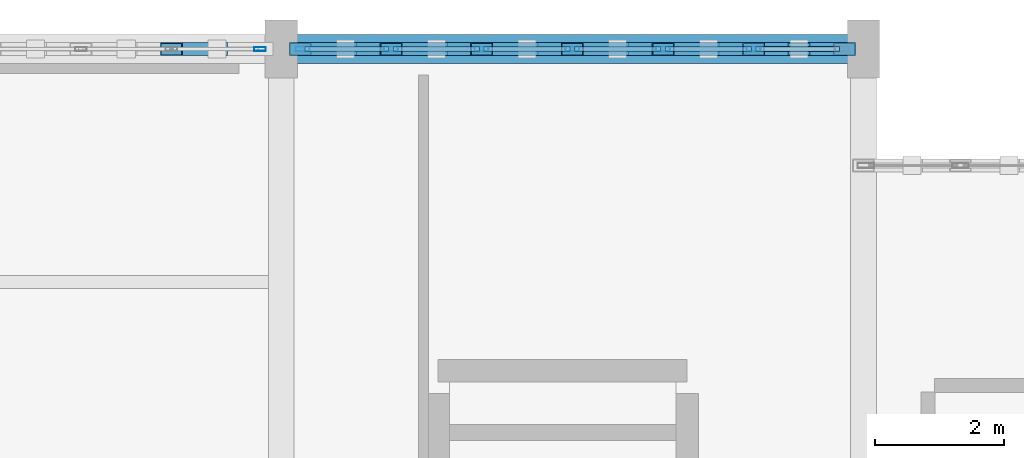
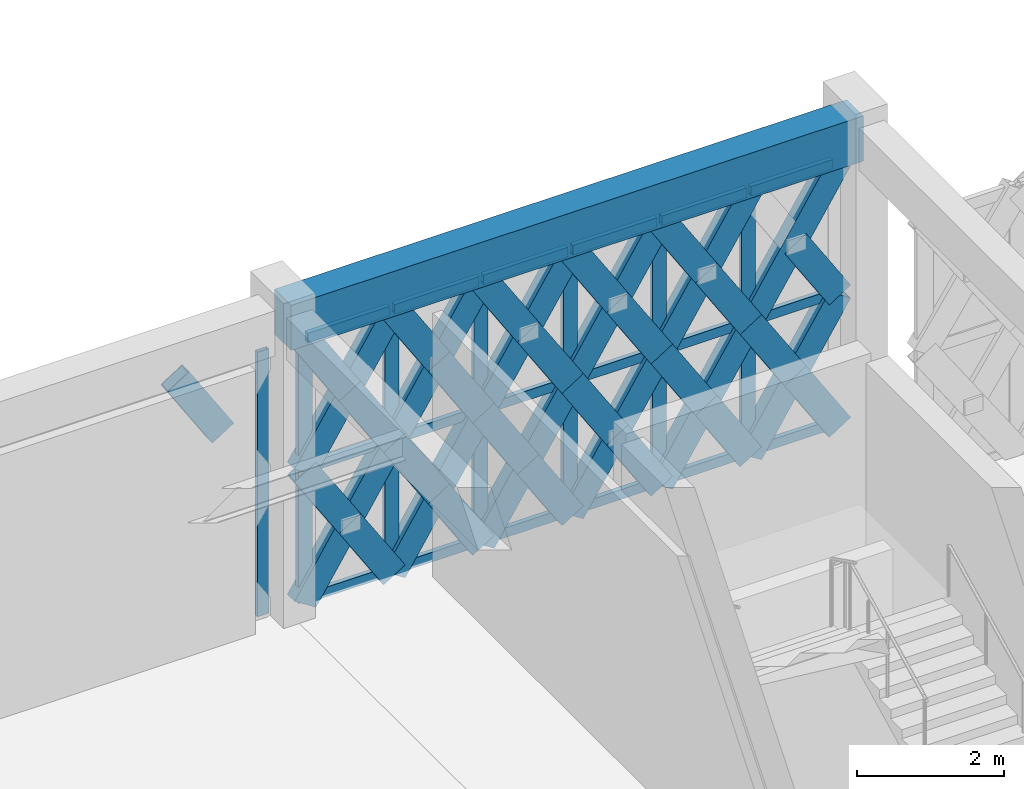
# One storey, part 46 of 86: 61 members, 1 beam, 2 elements without a shape of their own.
"""IFC4 building model written with IfcOpenShell, lengths in metres."""

from ifc_helpers import new_model, si_unit, direction, frame, origin, origin_2d, place, context, subcontext, project, spatial, rectangle, hollow_rectangle, extrude, material, material_profile, profile_set, type_object, element, aggregate, save


model = new_model("IFC4")

# Units and contexts
model_context = context("Model", 3, precision=1e-05, world=origin(), true_north=direction((0.0, 1.0)))
body_context = subcontext(model_context, "Body", "Model", "MODEL_VIEW")
ifc_project = project(units=[si_unit("LENGTHUNIT", "METRE"), si_unit("AREAUNIT", "SQUARE_METRE"), si_unit("VOLUMEUNIT", "CUBIC_METRE"), si_unit("PLANEANGLEUNIT", "RADIAN"), si_unit("MASSUNIT", "GRAM", prefix="KILO")], contexts=[model_context])

# Site, building, storey
site_placement = place(None, origin())
site = spatial("IfcSite", under=ifc_project, at=site_placement, CompositionType="ELEMENT")
building_placement = place(site_placement, origin())
building = spatial("IfcBuilding", under=site, at=building_placement, Name="Haizhuo Lancet Aquarium", CompositionType="ELEMENT")
storey_placement = place(building_placement, frame((0.0, 0.0, 16.199951171875)))
storey = spatial("IfcBuildingStorey", under=building, at=storey_placement, Name="L03", CompositionType="ELEMENT", Elevation=16.199951171875)

# Beam
ifc_material_1 = material(Name="Concrete C40/50", Category="concrete")
ifc_material_profile_1 = material_profile(ifc_material_1, rectangle(XDim=0.449951171875, YDim=0.75, at=origin_2d()), Name="RC-BM 450x750")
ifc_profile_set_1 = profile_set([ifc_material_profile_1], Name="Concrete C40/50")
beam_type = type_object("IfcBeamType", Name="BM-RC-450x750", PredefinedType="BEAM", material=ifc_profile_set_1)
beam_placement = place(storey_placement, frame((9.0, 55.800048828125, 4.775146484375), z_axis=(1.0, 0.0, 0.0), x_axis=(0.0, 1.0, 0.0)))
element("IfcBeam", 1, at=beam_placement, inside=storey, type_object=beam_type, Name="L03 V5 primary girder BM-L03-V5-020", PredefinedType="BEAM", context=body_context, shape_type="SweptSolid", body=[
    extrude(rectangle(XDim=0.449951171875, YDim=0.75, at=origin_2d()), origin(), (0.0, 0.0, 1.0), 9.0),
])

# Curtain wall, member
ifc_material_2 = material(Name="Aluminium 6063-T6", Category="aluminium")
curtain_wall_type = type_object("IfcCurtainWallType", Name="CWD-8410x4400", PredefinedType="NOTDEFINED", material=ifc_material_2)
curtain_wall_1_placement = place(storey_placement, origin())
curtain_wall_1 = element("IfcCurtainWall", 2, at=curtain_wall_1_placement, inside=storey, type_object=curtain_wall_type, Name="L03 curtain wall CW-V5-L03-163", PredefinedType="NOTDEFINED")
ifc_material_profile_2 = material_profile(ifc_material_2, hollow_rectangle(XDim=0.06494140625, YDim=0.179931640625, WallThickness=0.00390625, at=origin_2d()), Name="ALU-M 65x180x4")
ifc_profile_set_2 = profile_set([ifc_material_profile_2], Name="Aluminium 6063-T6")
member_type_1 = type_object("IfcMemberType", Name="CW-MUL-1", PredefinedType="MULLION", material=ifc_profile_set_2)
member_1_placement = place(storey_placement, frame((8.672119140625, 55.800048828125, 0.0), z_axis=(0.0, 0.0, 1.0), x_axis=(0.0, 1.0, 0.0)))
member_1 = element("IfcMember", 3, at=member_1_placement, type_object=member_type_1, Name="CWD-84x44 mullion 7", PredefinedType="MULLION", context=body_context, shape_type="SweptSolid", body=[
    extrude(hollow_rectangle(XDim=0.06494140625, YDim=0.179931640625, WallThickness=0.00390625, at=origin_2d()), origin(), (0.0, 0.0, 1.0), 4.400146484375),
])
aggregate(curtain_wall_1, [member_1])

# Curtain wall, members
curtain_wall_2_placement = place(storey_placement, origin())
curtain_wall_2 = element("IfcCurtainWall", 4, at=curtain_wall_2_placement, inside=storey, type_object=curtain_wall_type, Name="L03 curtain wall CW-V5-L03-164", PredefinedType="NOTDEFINED")
ifc_material_profile_3 = material_profile(ifc_material_2, hollow_rectangle(XDim=0.074951171875, YDim=0.219970703125, WallThickness=0.0048828125, at=origin_2d()), Name="ALU-M 75x220x5")
ifc_profile_set_3 = profile_set([ifc_material_profile_3], Name="Aluminium 6063-T6")
member_type_2 = type_object("IfcMemberType", Name="CW-MUL-2", PredefinedType="MULLION", material=ifc_profile_set_3)
member_2_placement = place(storey_placement, frame((9.33203125, 55.800048828125, 0.0), z_axis=(0.0, 0.0, 1.0), x_axis=(0.0, 1.0, 0.0)))
member_2 = element("IfcMember", 5, at=member_2_placement, type_object=member_type_2, Name="CWD-84x44 mullion 1", PredefinedType="MULLION", context=body_context, shape_type="SweptSolid", body=[
    extrude(hollow_rectangle(XDim=0.074951171875, YDim=0.219970703125, WallThickness=0.0048828125, at=origin_2d()), origin(), (0.0, 0.0, 1.0), 4.400146484375),
])
member_3_placement = place(storey_placement, frame((10.697021484375, 55.800048828125, 0.0), z_axis=(0.0, 0.0, 1.0), x_axis=(0.0, 1.0, 0.0)))
member_3 = element("IfcMember", 6, at=member_3_placement, type_object=member_type_2, Name="CWD-84x44 mullion 2", PredefinedType="MULLION", context=body_context, shape_type="SweptSolid", body=[
    extrude(hollow_rectangle(XDim=0.074951171875, YDim=0.219970703125, WallThickness=0.0048828125, at=origin_2d()), origin(), (0.0, 0.0, 1.0), 4.400146484375),
])
member_4_placement = place(storey_placement, frame((12.097900390625, 55.800048828125, 0.0), z_axis=(0.0, 0.0, 1.0), x_axis=(0.0, 1.0, 0.0)))
member_4 = element("IfcMember", 7, at=member_4_placement, type_object=member_type_2, Name="CWD-84x44 mullion 3", PredefinedType="MULLION", context=body_context, shape_type="SweptSolid", body=[
    extrude(hollow_rectangle(XDim=0.074951171875, YDim=0.219970703125, WallThickness=0.0048828125, at=origin_2d()), origin(), (0.0, 0.0, 1.0), 4.400146484375),
])
member_5_placement = place(storey_placement, frame((13.5, 55.800048828125, 0.0), z_axis=(0.0, 0.0, 1.0), x_axis=(0.0, 1.0, 0.0)))
member_5 = element("IfcMember", 8, at=member_5_placement, type_object=member_type_2, Name="CWD-84x44 mullion 4", PredefinedType="MULLION", context=body_context, shape_type="SweptSolid", body=[
    extrude(hollow_rectangle(XDim=0.074951171875, YDim=0.219970703125, WallThickness=0.0048828125, at=origin_2d()), origin(), (0.0, 0.0, 1.0), 4.400146484375),
])
member_6_placement = place(storey_placement, frame((14.902099609375, 55.800048828125, 0.0), z_axis=(0.0, 0.0, 1.0), x_axis=(0.0, 1.0, 0.0)))
member_6 = element("IfcMember", 9, at=member_6_placement, type_object=member_type_2, Name="CWD-84x44 mullion 5", PredefinedType="MULLION", context=body_context, shape_type="SweptSolid", body=[
    extrude(hollow_rectangle(XDim=0.074951171875, YDim=0.219970703125, WallThickness=0.0048828125, at=origin_2d()), origin(), (0.0, 0.0, 1.0), 4.400146484375),
])
member_7_placement = place(storey_placement, frame((16.302978515625, 55.800048828125, 0.0), z_axis=(0.0, 0.0, 1.0), x_axis=(0.0, 1.0, 0.0)))
member_7 = element("IfcMember", 10, at=member_7_placement, type_object=member_type_2, Name="CWD-84x44 mullion 6", PredefinedType="MULLION", context=body_context, shape_type="SweptSolid", body=[
    extrude(hollow_rectangle(XDim=0.074951171875, YDim=0.219970703125, WallThickness=0.0048828125, at=origin_2d()), origin(), (0.0, 0.0, 1.0), 4.400146484375),
])
ifc_material_profile_4 = material_profile(ifc_material_2, hollow_rectangle(XDim=0.074951171875, YDim=0.159912109375, WallThickness=0.00390625, at=origin_2d()), Name="ALU-T 75x160x4")
ifc_profile_set_4 = profile_set([ifc_material_profile_4], Name="Aluminium 6063-T6")
member_type_3 = type_object("IfcMemberType", Name="CW-TRN-2", PredefinedType="NOTDEFINED", material=ifc_profile_set_4)
member_8_placement = place(storey_placement, frame((9.3701171875, 55.800048828125, 0.0380859375), z_axis=(1.0, 0.0, 0.0), x_axis=(0.0, 1.0, 0.0)))
member_8 = element("IfcMember", 11, at=member_8_placement, type_object=member_type_3, Name="CWD-84x44 transom 1.1", ObjectType="TRANSOM", PredefinedType="USERDEFINED", context=body_context, shape_type="SweptSolid", body=[
    extrude(hollow_rectangle(XDim=0.074951171875, YDim=0.159912109375, WallThickness=0.00390625, at=origin_2d()), origin(), (0.0, 0.0, 1.0), 1.288818359375),
])
member_9_placement = place(storey_placement, frame((9.3701171875, 55.800048828125, 2.199951171875), z_axis=(1.0, 0.0, 0.0), x_axis=(0.0, 1.0, 0.0)))
member_9 = element("IfcMember", 12, at=member_9_placement, type_object=member_type_3, Name="CWD-84x44 transom 1.2", ObjectType="TRANSOM", PredefinedType="USERDEFINED", context=body_context, shape_type="SweptSolid", body=[
    extrude(hollow_rectangle(XDim=0.074951171875, YDim=0.159912109375, WallThickness=0.00390625, at=origin_2d()), origin(), (0.0, 0.0, 1.0), 1.288818359375),
])
member_10_placement = place(storey_placement, frame((9.3701171875, 55.800048828125, 4.362060546875), z_axis=(1.0, 0.0, 0.0), x_axis=(0.0, 1.0, 0.0)))
member_10 = element("IfcMember", 13, at=member_10_placement, type_object=member_type_3, Name="CWD-84x44 transom 1.3", ObjectType="TRANSOM", PredefinedType="USERDEFINED", context=body_context, shape_type="SweptSolid", body=[
    extrude(hollow_rectangle(XDim=0.074951171875, YDim=0.159912109375, WallThickness=0.00390625, at=origin_2d()), origin(), (0.0, 0.0, 1.0), 1.288818359375),
])
member_11_placement = place(storey_placement, frame((10.73388671875, 55.800048828125, 0.0380859375), z_axis=(1.0, 0.0, 0.0), x_axis=(0.0, 1.0, 0.0)))
member_11 = element("IfcMember", 14, at=member_11_placement, type_object=member_type_3, Name="CWD-84x44 transom 2.1", ObjectType="TRANSOM", PredefinedType="USERDEFINED", context=body_context, shape_type="SweptSolid", body=[
    extrude(hollow_rectangle(XDim=0.074951171875, YDim=0.159912109375, WallThickness=0.00390625, at=origin_2d()), origin(), (0.0, 0.0, 1.0), 1.3271484375),
])
member_12_placement = place(storey_placement, frame((10.73388671875, 55.800048828125, 2.199951171875), z_axis=(1.0, 0.0, 0.0), x_axis=(0.0, 1.0, 0.0)))
member_12 = element("IfcMember", 15, at=member_12_placement, type_object=member_type_3, Name="CWD-84x44 transom 2.2", ObjectType="TRANSOM", PredefinedType="USERDEFINED", context=body_context, shape_type="SweptSolid", body=[
    extrude(hollow_rectangle(XDim=0.074951171875, YDim=0.159912109375, WallThickness=0.00390625, at=origin_2d()), origin(), (0.0, 0.0, 1.0), 1.3271484375),
])
member_13_placement = place(storey_placement, frame((10.73388671875, 55.800048828125, 4.362060546875), z_axis=(1.0, 0.0, 0.0), x_axis=(0.0, 1.0, 0.0)))
member_13 = element("IfcMember", 16, at=member_13_placement, type_object=member_type_3, Name="CWD-84x44 transom 2.3", ObjectType="TRANSOM", PredefinedType="USERDEFINED", context=body_context, shape_type="SweptSolid", body=[
    extrude(hollow_rectangle(XDim=0.074951171875, YDim=0.159912109375, WallThickness=0.00390625, at=origin_2d()), origin(), (0.0, 0.0, 1.0), 1.3271484375),
])
member_14_placement = place(storey_placement, frame((12.135986328125, 55.800048828125, 0.0380859375), z_axis=(1.0, 0.0, 0.0), x_axis=(0.0, 1.0, 0.0)))
member_14 = element("IfcMember", 17, at=member_14_placement, type_object=member_type_3, Name="CWD-84x44 transom 3.1", ObjectType="TRANSOM", PredefinedType="USERDEFINED", context=body_context, shape_type="SweptSolid", body=[
    extrude(hollow_rectangle(XDim=0.074951171875, YDim=0.159912109375, WallThickness=0.00390625, at=origin_2d()), origin(), (0.0, 0.0, 1.0), 1.325927734375),
])
member_15_placement = place(storey_placement, frame((12.135986328125, 55.800048828125, 2.199951171875), z_axis=(1.0, 0.0, 0.0), x_axis=(0.0, 1.0, 0.0)))
member_15 = element("IfcMember", 18, at=member_15_placement, type_object=member_type_3, Name="CWD-84x44 transom 3.2", ObjectType="TRANSOM", PredefinedType="USERDEFINED", context=body_context, shape_type="SweptSolid", body=[
    extrude(hollow_rectangle(XDim=0.074951171875, YDim=0.159912109375, WallThickness=0.00390625, at=origin_2d()), origin(), (0.0, 0.0, 1.0), 1.325927734375),
])
member_16_placement = place(storey_placement, frame((12.135986328125, 55.800048828125, 4.362060546875), z_axis=(1.0, 0.0, 0.0), x_axis=(0.0, 1.0, 0.0)))
member_16 = element("IfcMember", 19, at=member_16_placement, type_object=member_type_3, Name="CWD-84x44 transom 3.3", ObjectType="TRANSOM", PredefinedType="USERDEFINED", context=body_context, shape_type="SweptSolid", body=[
    extrude(hollow_rectangle(XDim=0.074951171875, YDim=0.159912109375, WallThickness=0.00390625, at=origin_2d()), origin(), (0.0, 0.0, 1.0), 1.325927734375),
])
member_17_placement = place(storey_placement, frame((13.537109375, 55.800048828125, 0.0380859375), z_axis=(1.0, 0.0, 0.0), x_axis=(0.0, 1.0, 0.0)))
member_17 = element("IfcMember", 20, at=member_17_placement, type_object=member_type_3, Name="CWD-84x44 transom 4.1", ObjectType="TRANSOM", PredefinedType="USERDEFINED", context=body_context, shape_type="SweptSolid", body=[
    extrude(hollow_rectangle(XDim=0.074951171875, YDim=0.159912109375, WallThickness=0.00390625, at=origin_2d()), origin(), (0.0, 0.0, 1.0), 1.326904296875),
])
member_18_placement = place(storey_placement, frame((13.537109375, 55.800048828125, 2.199951171875), z_axis=(1.0, 0.0, 0.0), x_axis=(0.0, 1.0, 0.0)))
member_18 = element("IfcMember", 21, at=member_18_placement, type_object=member_type_3, Name="CWD-84x44 transom 4.2", ObjectType="TRANSOM", PredefinedType="USERDEFINED", context=body_context, shape_type="SweptSolid", body=[
    extrude(hollow_rectangle(XDim=0.074951171875, YDim=0.159912109375, WallThickness=0.00390625, at=origin_2d()), origin(), (0.0, 0.0, 1.0), 1.326904296875),
])
member_19_placement = place(storey_placement, frame((13.537109375, 55.800048828125, 4.362060546875), z_axis=(1.0, 0.0, 0.0), x_axis=(0.0, 1.0, 0.0)))
member_19 = element("IfcMember", 22, at=member_19_placement, type_object=member_type_3, Name="CWD-84x44 transom 4.3", ObjectType="TRANSOM", PredefinedType="USERDEFINED", context=body_context, shape_type="SweptSolid", body=[
    extrude(hollow_rectangle(XDim=0.074951171875, YDim=0.159912109375, WallThickness=0.00390625, at=origin_2d()), origin(), (0.0, 0.0, 1.0), 1.326904296875),
])
member_20_placement = place(storey_placement, frame((14.93896484375, 55.800048828125, 0.0380859375), z_axis=(1.0, 0.0, 0.0), x_axis=(0.0, 1.0, 0.0)))
member_20 = element("IfcMember", 23, at=member_20_placement, type_object=member_type_3, Name="CWD-84x44 transom 5.1", ObjectType="TRANSOM", PredefinedType="USERDEFINED", context=body_context, shape_type="SweptSolid", body=[
    extrude(hollow_rectangle(XDim=0.074951171875, YDim=0.159912109375, WallThickness=0.00390625, at=origin_2d()), origin(), (0.0, 0.0, 1.0), 1.3271484375),
])
member_21_placement = place(storey_placement, frame((14.93896484375, 55.800048828125, 2.199951171875), z_axis=(1.0, 0.0, 0.0), x_axis=(0.0, 1.0, 0.0)))
member_21 = element("IfcMember", 24, at=member_21_placement, type_object=member_type_3, Name="CWD-84x44 transom 5.2", ObjectType="TRANSOM", PredefinedType="USERDEFINED", context=body_context, shape_type="SweptSolid", body=[
    extrude(hollow_rectangle(XDim=0.074951171875, YDim=0.159912109375, WallThickness=0.00390625, at=origin_2d()), origin(), (0.0, 0.0, 1.0), 1.3271484375),
])
member_22_placement = place(storey_placement, frame((14.93896484375, 55.800048828125, 4.362060546875), z_axis=(1.0, 0.0, 0.0), x_axis=(0.0, 1.0, 0.0)))
member_22 = element("IfcMember", 25, at=member_22_placement, type_object=member_type_3, Name="CWD-84x44 transom 5.3", ObjectType="TRANSOM", PredefinedType="USERDEFINED", context=body_context, shape_type="SweptSolid", body=[
    extrude(hollow_rectangle(XDim=0.074951171875, YDim=0.159912109375, WallThickness=0.00390625, at=origin_2d()), origin(), (0.0, 0.0, 1.0), 1.3271484375),
])
member_23_placement = place(storey_placement, frame((16.341064453125, 55.800048828125, 0.0380859375), z_axis=(1.0, 0.0, 0.0), x_axis=(0.0, 1.0, 0.0)))
member_23 = element("IfcMember", 26, at=member_23_placement, type_object=member_type_3, Name="CWD-84x44 transom 6.1", ObjectType="TRANSOM", PredefinedType="USERDEFINED", context=body_context, shape_type="SweptSolid", body=[
    extrude(hollow_rectangle(XDim=0.074951171875, YDim=0.159912109375, WallThickness=0.00390625, at=origin_2d()), origin(), (0.0, 0.0, 1.0), 1.288818359375),
])
member_24_placement = place(storey_placement, frame((16.341064453125, 55.800048828125, 2.199951171875), z_axis=(1.0, 0.0, 0.0), x_axis=(0.0, 1.0, 0.0)))
member_24 = element("IfcMember", 27, at=member_24_placement, type_object=member_type_3, Name="CWD-84x44 transom 6.2", ObjectType="TRANSOM", PredefinedType="USERDEFINED", context=body_context, shape_type="SweptSolid", body=[
    extrude(hollow_rectangle(XDim=0.074951171875, YDim=0.159912109375, WallThickness=0.00390625, at=origin_2d()), origin(), (0.0, 0.0, 1.0), 1.288818359375),
])
member_25_placement = place(storey_placement, frame((16.341064453125, 55.800048828125, 4.362060546875), z_axis=(1.0, 0.0, 0.0), x_axis=(0.0, 1.0, 0.0)))
member_25 = element("IfcMember", 28, at=member_25_placement, type_object=member_type_3, Name="CWD-84x44 transom 6.3", ObjectType="TRANSOM", PredefinedType="USERDEFINED", context=body_context, shape_type="SweptSolid", body=[
    extrude(hollow_rectangle(XDim=0.074951171875, YDim=0.159912109375, WallThickness=0.00390625, at=origin_2d()), origin(), (0.0, 0.0, 1.0), 1.288818359375),
])
aggregate(curtain_wall_2, [member_2, member_3, member_4, member_5, member_6, member_7, member_8, member_9, member_10, member_11, member_12, member_13, member_14, member_15, member_16, member_17, member_18, member_19, member_20, member_21, member_22, member_23, member_24, member_25])

# Members
ifc_material_3 = material(Name="Steel S355", Category="steel")
ifc_material_profile_5 = material_profile(ifc_material_3, hollow_rectangle(XDim=0.199951171875, YDim=0.39990234375, WallThickness=0.011962890625, at=origin_2d()), Name="RHS 200x400x12")
ifc_profile_set_5 = profile_set([ifc_material_profile_5], Name="Steel S355")
member_type_4 = type_object("IfcMemberType", Name="MEM-LB-RHS200x400", PredefinedType="BRACE", material=ifc_profile_set_5)
member_26_placement = place(storey_placement, frame((8.00390625, 55.800048828125, 3.300048828125), z_axis=(-0.537347721811, 0.0, 0.843360792226), x_axis=(0.0, -1.0, 0.0)))
element("IfcMember", 29, at=member_26_placement, inside=storey, type_object=member_type_4, Name="Gothic lancet split diagonal brace CW-V5-L03-163 12B2", PredefinedType="BRACE", context=body_context, shape_type="SweptSolid", body=[
    extrude(hollow_rectangle(XDim=0.199951171875, YDim=0.39990234375, WallThickness=0.011962890625, at=origin_2d()), origin(), (0.0, 0.0, 1.0), 1.304443359375),
])
member_27_placement = place(storey_placement, frame((9.294921875, 55.800048828125, 0.0), z_axis=(0.537456690616, 0.0, 0.843291352803), x_axis=(0.0, 1.0, 0.0)))
element("IfcMember", 30, at=member_27_placement, inside=storey, type_object=member_type_4, Name="Gothic lancet continuous diagonal brace CW-V5-L03-164 1A", PredefinedType="BRACE", context=body_context, shape_type="SweptSolid", body=[
    extrude(hollow_rectangle(XDim=0.199951171875, YDim=0.39990234375, WallThickness=0.011962890625, at=origin_2d()), origin(), (0.0, 0.0, 1.0), 2.60888671875),
])
for number, where, z_axis, x_axis, name in (
    (31, (10.697021484375, 55.800048828125, 0.0), (-0.537347721811, 0.0, 0.843360792226), (0.0, -1.0, 0.0), "Gothic lancet split diagonal brace CW-V5-L03-164 1B1"),
    (32, (9.99609375, 55.800048828125, 1.10009765625), (-0.537565656685, 0.0, 0.843221895323), (0.0, -1.0, 0.0), "Gothic lancet split diagonal brace CW-V5-L03-164 1B2"),
):
    element("IfcMember", number, at=place(storey_placement, frame(where, z_axis=z_axis, x_axis=x_axis)), inside=storey, type_object=member_type_4, Name=name, PredefinedType="BRACE", context=body_context, shape_type="SweptSolid", body=[
        extrude(hollow_rectangle(XDim=0.199951171875, YDim=0.39990234375, WallThickness=0.011962890625, at=origin_2d()), origin(), (0.0, 0.0, 1.0), 1.304443359375),
    ])
member_28_placement = place(storey_placement, frame((9.294921875, 55.800048828125, 2.199951171875), z_axis=(0.537414277668, 0.0, 0.843318382438), x_axis=(0.0, 1.0, 0.0)))
element("IfcMember", 33, at=member_28_placement, inside=storey, type_object=member_type_4, Name="Gothic lancet continuous diagonal brace CW-V5-L03-164 2A", PredefinedType="BRACE", context=body_context, shape_type="SweptSolid", body=[
    extrude(hollow_rectangle(XDim=0.199951171875, YDim=0.39990234375, WallThickness=0.011962890625, at=origin_2d()), origin(), (0.0, 0.0, 1.0), 2.60888671875),
])
for number, where, z_axis, x_axis, name in (
    (34, (10.697021484375, 55.800048828125, 2.199951171875), (-0.537347721811, 0.0, 0.843360792226), (0.0, -1.0, 0.0), "Gothic lancet split diagonal brace CW-V5-L03-164 2B1"),
    (35, (9.99609375, 55.800048828125, 3.300048828125), (-0.537480823484, 0.0, 0.843275971664), (0.0, -1.0, 0.0), "Gothic lancet split diagonal brace CW-V5-L03-164 2B2"),
):
    element("IfcMember", number, at=place(storey_placement, frame(where, z_axis=z_axis, x_axis=x_axis)), inside=storey, type_object=member_type_4, Name=name, PredefinedType="BRACE", context=body_context, shape_type="SweptSolid", body=[
        extrude(hollow_rectangle(XDim=0.199951171875, YDim=0.39990234375, WallThickness=0.011962890625, at=origin_2d()), origin(), (0.0, 0.0, 1.0), 1.304443359375),
    ])
member_29_placement = place(storey_placement, frame((10.697021484375, 55.800048828125, 0.0), z_axis=(0.537123805961, 0.0, 0.843503418529), x_axis=(0.0, 1.0, 0.0)))
element("IfcMember", 36, at=member_29_placement, inside=storey, type_object=member_type_4, Name="Gothic lancet continuous diagonal brace CW-V5-L03-164 3A", PredefinedType="BRACE", context=body_context, shape_type="SweptSolid", body=[
    extrude(hollow_rectangle(XDim=0.199951171875, YDim=0.39990234375, WallThickness=0.011962890625, at=origin_2d()), origin(), (0.0, 0.0, 1.0), 2.608154296875),
])
member_30_placement = place(storey_placement, frame((12.097900390625, 55.800048828125, 0.0), z_axis=(-0.536814913407, 0.0, 0.843700034813), x_axis=(0.0, -1.0, 0.0)))
element("IfcMember", 37, at=member_30_placement, inside=storey, type_object=member_type_4, Name="Gothic lancet split diagonal brace CW-V5-L03-164 3B1", PredefinedType="BRACE", context=body_context, shape_type="SweptSolid", body=[
    extrude(hollow_rectangle(XDim=0.199951171875, YDim=0.39990234375, WallThickness=0.011962890625, at=origin_2d()), origin(), (0.0, 0.0, 1.0), 1.303955078125),
])
member_31_placement = place(storey_placement, frame((11.39794921875, 55.800048828125, 1.10009765625), z_axis=(-0.537432551071, 0.0, 0.843306737225), x_axis=(0.0, -1.0, 0.0)))
element("IfcMember", 38, at=member_31_placement, inside=storey, type_object=member_type_4, Name="Gothic lancet split diagonal brace CW-V5-L03-164 3B2", PredefinedType="BRACE", context=body_context, shape_type="SweptSolid", body=[
    extrude(hollow_rectangle(XDim=0.199951171875, YDim=0.39990234375, WallThickness=0.011962890625, at=origin_2d()), origin(), (0.0, 0.0, 1.0), 1.30419921875),
])
member_32_placement = place(storey_placement, frame((10.697021484375, 55.800048828125, 2.199951171875), z_axis=(0.537081397964, 0.0, 0.843530421479), x_axis=(0.0, 1.0, 0.0)))
element("IfcMember", 39, at=member_32_placement, inside=storey, type_object=member_type_4, Name="Gothic lancet continuous diagonal brace CW-V5-L03-164 4A", PredefinedType="BRACE", context=body_context, shape_type="SweptSolid", body=[
    extrude(hollow_rectangle(XDim=0.199951171875, YDim=0.39990234375, WallThickness=0.011962890625, at=origin_2d()), origin(), (0.0, 0.0, 1.0), 2.6083984375),
])
member_33_placement = place(storey_placement, frame((12.097900390625, 55.800048828125, 2.199951171875), z_axis=(-0.536814913407, 0.0, 0.843700034813), x_axis=(0.0, -1.0, 0.0)))
element("IfcMember", 40, at=member_33_placement, inside=storey, type_object=member_type_4, Name="Gothic lancet split diagonal brace CW-V5-L03-164 4B1", PredefinedType="BRACE", context=body_context, shape_type="SweptSolid", body=[
    extrude(hollow_rectangle(XDim=0.199951171875, YDim=0.39990234375, WallThickness=0.011962890625, at=origin_2d()), origin(), (0.0, 0.0, 1.0), 1.303955078125),
])
member_34_placement = place(storey_placement, frame((11.39794921875, 55.800048828125, 3.300048828125), z_axis=(-0.537347721811, 0.0, 0.843360792226), x_axis=(0.0, -1.0, 0.0)))
element("IfcMember", 41, at=member_34_placement, inside=storey, type_object=member_type_4, Name="Gothic lancet split diagonal brace CW-V5-L03-164 4B2", PredefinedType="BRACE", context=body_context, shape_type="SweptSolid", body=[
    extrude(hollow_rectangle(XDim=0.199951171875, YDim=0.39990234375, WallThickness=0.011962890625, at=origin_2d()), origin(), (0.0, 0.0, 1.0), 1.304443359375),
])
member_35_placement = place(storey_placement, frame((12.097900390625, 55.800048828125, 0.0), z_axis=(0.537456690616, 0.0, 0.843291352803), x_axis=(0.0, 1.0, 0.0)))
element("IfcMember", 42, at=member_35_placement, inside=storey, type_object=member_type_4, Name="Gothic lancet continuous diagonal brace CW-V5-L03-164 5A", PredefinedType="BRACE", context=body_context, shape_type="SweptSolid", body=[
    extrude(hollow_rectangle(XDim=0.199951171875, YDim=0.39990234375, WallThickness=0.011962890625, at=origin_2d()), origin(), (0.0, 0.0, 1.0), 2.60888671875),
])
for number, where, z_axis, x_axis, name in (
    (43, (13.5, 55.800048828125, 0.0), (-0.537347721811, 0.0, 0.843360792226), (0.0, -1.0, 0.0), "Gothic lancet split diagonal brace CW-V5-L03-164 5B1"),
    (44, (12.799072265625, 55.800048828125, 1.10009765625), (-0.537565656685, 0.0, 0.843221895323), (0.0, -1.0, 0.0), "Gothic lancet split diagonal brace CW-V5-L03-164 5B2"),
):
    element("IfcMember", number, at=place(storey_placement, frame(where, z_axis=z_axis, x_axis=x_axis)), inside=storey, type_object=member_type_4, Name=name, PredefinedType="BRACE", context=body_context, shape_type="SweptSolid", body=[
        extrude(hollow_rectangle(XDim=0.199951171875, YDim=0.39990234375, WallThickness=0.011962890625, at=origin_2d()), origin(), (0.0, 0.0, 1.0), 1.304443359375),
    ])
member_36_placement = place(storey_placement, frame((12.097900390625, 55.800048828125, 2.199951171875), z_axis=(0.537414277668, 0.0, 0.843318382438), x_axis=(0.0, 1.0, 0.0)))
element("IfcMember", 45, at=member_36_placement, inside=storey, type_object=member_type_4, Name="Gothic lancet continuous diagonal brace CW-V5-L03-164 6A", PredefinedType="BRACE", context=body_context, shape_type="SweptSolid", body=[
    extrude(hollow_rectangle(XDim=0.199951171875, YDim=0.39990234375, WallThickness=0.011962890625, at=origin_2d()), origin(), (0.0, 0.0, 1.0), 2.60888671875),
])
for number, where, z_axis, x_axis, name in (
    (46, (13.5, 55.800048828125, 2.199951171875), (-0.537347721811, 0.0, 0.843360792226), (0.0, -1.0, 0.0), "Gothic lancet split diagonal brace CW-V5-L03-164 6B1"),
    (47, (12.799072265625, 55.800048828125, 3.300048828125), (-0.537480823484, 0.0, 0.843275971664), (0.0, -1.0, 0.0), "Gothic lancet split diagonal brace CW-V5-L03-164 6B2"),
):
    element("IfcMember", number, at=place(storey_placement, frame(where, z_axis=z_axis, x_axis=x_axis)), inside=storey, type_object=member_type_4, Name=name, PredefinedType="BRACE", context=body_context, shape_type="SweptSolid", body=[
        extrude(hollow_rectangle(XDim=0.199951171875, YDim=0.39990234375, WallThickness=0.011962890625, at=origin_2d()), origin(), (0.0, 0.0, 1.0), 1.304443359375),
    ])
member_37_placement = place(storey_placement, frame((13.5, 55.800048828125, 0.0), z_axis=(0.537456690616, 0.0, 0.843291352803), x_axis=(0.0, 1.0, 0.0)))
element("IfcMember", 48, at=member_37_placement, inside=storey, type_object=member_type_4, Name="Gothic lancet continuous diagonal brace CW-V5-L03-164 7A", PredefinedType="BRACE", context=body_context, shape_type="SweptSolid", body=[
    extrude(hollow_rectangle(XDim=0.199951171875, YDim=0.39990234375, WallThickness=0.011962890625, at=origin_2d()), origin(), (0.0, 0.0, 1.0), 2.60888671875),
])
member_38_placement = place(storey_placement, frame((14.902099609375, 55.800048828125, 0.0), z_axis=(-0.537480823484, 0.0, 0.843275971664), x_axis=(0.0, -1.0, 0.0)))
element("IfcMember", 49, at=member_38_placement, inside=storey, type_object=member_type_4, Name="Gothic lancet split diagonal brace CW-V5-L03-164 7B1", PredefinedType="BRACE", context=body_context, shape_type="SweptSolid", body=[
    extrude(hollow_rectangle(XDim=0.199951171875, YDim=0.39990234375, WallThickness=0.011962890625, at=origin_2d()), origin(), (0.0, 0.0, 1.0), 1.304443359375),
])
member_39_placement = place(storey_placement, frame((14.200927734375, 55.800048828125, 1.10009765625), z_axis=(-0.537432551071, 0.0, 0.843306737225), x_axis=(0.0, -1.0, 0.0)))
element("IfcMember", 50, at=member_39_placement, inside=storey, type_object=member_type_4, Name="Gothic lancet split diagonal brace CW-V5-L03-164 7B2", PredefinedType="BRACE", context=body_context, shape_type="SweptSolid", body=[
    extrude(hollow_rectangle(XDim=0.199951171875, YDim=0.39990234375, WallThickness=0.011962890625, at=origin_2d()), origin(), (0.0, 0.0, 1.0), 1.30419921875),
])
member_40_placement = place(storey_placement, frame((13.5, 55.800048828125, 2.199951171875), z_axis=(0.537414277668, 0.0, 0.843318382438), x_axis=(0.0, 1.0, 0.0)))
element("IfcMember", 51, at=member_40_placement, inside=storey, type_object=member_type_4, Name="Gothic lancet continuous diagonal brace CW-V5-L03-164 8A", PredefinedType="BRACE", context=body_context, shape_type="SweptSolid", body=[
    extrude(hollow_rectangle(XDim=0.199951171875, YDim=0.39990234375, WallThickness=0.011962890625, at=origin_2d()), origin(), (0.0, 0.0, 1.0), 2.60888671875),
])
for number, where, z_axis, x_axis, name in (
    (52, (14.902099609375, 55.800048828125, 2.199951171875), (-0.537480823484, 0.0, 0.843275971664), (0.0, -1.0, 0.0), "Gothic lancet split diagonal brace CW-V5-L03-164 8B1"),
    (53, (14.200927734375, 55.800048828125, 3.300048828125), (-0.537347721811, 0.0, 0.843360792226), (0.0, -1.0, 0.0), "Gothic lancet split diagonal brace CW-V5-L03-164 8B2"),
):
    element("IfcMember", number, at=place(storey_placement, frame(where, z_axis=z_axis, x_axis=x_axis)), inside=storey, type_object=member_type_4, Name=name, PredefinedType="BRACE", context=body_context, shape_type="SweptSolid", body=[
        extrude(hollow_rectangle(XDim=0.199951171875, YDim=0.39990234375, WallThickness=0.011962890625, at=origin_2d()), origin(), (0.0, 0.0, 1.0), 1.304443359375),
    ])
member_41_placement = place(storey_placement, frame((14.902099609375, 55.800048828125, 0.0), z_axis=(0.537123805961, 0.0, 0.843503418529), x_axis=(0.0, 1.0, 0.0)))
element("IfcMember", 54, at=member_41_placement, inside=storey, type_object=member_type_4, Name="Gothic lancet continuous diagonal brace CW-V5-L03-164 9A", PredefinedType="BRACE", context=body_context, shape_type="SweptSolid", body=[
    extrude(hollow_rectangle(XDim=0.199951171875, YDim=0.39990234375, WallThickness=0.011962890625, at=origin_2d()), origin(), (0.0, 0.0, 1.0), 2.608154296875),
])
member_42_placement = place(storey_placement, frame((16.302978515625, 55.800048828125, 0.0), z_axis=(-0.537347721811, 0.0, 0.843360792226), x_axis=(0.0, -1.0, 0.0)))
element("IfcMember", 55, at=member_42_placement, inside=storey, type_object=member_type_4, Name="Gothic lancet split diagonal brace CW-V5-L03-164 9B1", PredefinedType="BRACE", context=body_context, shape_type="SweptSolid", body=[
    extrude(hollow_rectangle(XDim=0.199951171875, YDim=0.39990234375, WallThickness=0.011962890625, at=origin_2d()), origin(), (0.0, 0.0, 1.0), 1.304443359375),
])
member_43_placement = place(storey_placement, frame((15.60205078125, 55.800048828125, 1.10009765625), z_axis=(-0.536899726761, 0.0, 0.843646065245), x_axis=(0.0, -1.0, 0.0)))
element("IfcMember", 56, at=member_43_placement, inside=storey, type_object=member_type_4, Name="Gothic lancet split diagonal brace CW-V5-L03-164 9B2", PredefinedType="BRACE", context=body_context, shape_type="SweptSolid", body=[
    extrude(hollow_rectangle(XDim=0.199951171875, YDim=0.39990234375, WallThickness=0.011962890625, at=origin_2d()), origin(), (0.0, 0.0, 1.0), 1.3037109375),
])
member_44_placement = place(storey_placement, frame((14.902099609375, 55.800048828125, 2.199951171875), z_axis=(0.537081397964, 0.0, 0.843530421479), x_axis=(0.0, 1.0, 0.0)))
element("IfcMember", 57, at=member_44_placement, inside=storey, type_object=member_type_4, Name="Gothic lancet continuous diagonal brace CW-V5-L03-164 10A", PredefinedType="BRACE", context=body_context, shape_type="SweptSolid", body=[
    extrude(hollow_rectangle(XDim=0.199951171875, YDim=0.39990234375, WallThickness=0.011962890625, at=origin_2d()), origin(), (0.0, 0.0, 1.0), 2.6083984375),
])
member_45_placement = place(storey_placement, frame((16.302978515625, 55.800048828125, 2.199951171875), z_axis=(-0.537347721811, 0.0, 0.843360792226), x_axis=(0.0, -1.0, 0.0)))
element("IfcMember", 58, at=member_45_placement, inside=storey, type_object=member_type_4, Name="Gothic lancet split diagonal brace CW-V5-L03-164 10B1", PredefinedType="BRACE", context=body_context, shape_type="SweptSolid", body=[
    extrude(hollow_rectangle(XDim=0.199951171875, YDim=0.39990234375, WallThickness=0.011962890625, at=origin_2d()), origin(), (0.0, 0.0, 1.0), 1.304443359375),
])
member_46_placement = place(storey_placement, frame((15.60205078125, 55.800048828125, 3.300048828125), z_axis=(-0.536814913407, 0.0, 0.843700034813), x_axis=(0.0, -1.0, 0.0)))
element("IfcMember", 59, at=member_46_placement, inside=storey, type_object=member_type_4, Name="Gothic lancet split diagonal brace CW-V5-L03-164 10B2", PredefinedType="BRACE", context=body_context, shape_type="SweptSolid", body=[
    extrude(hollow_rectangle(XDim=0.199951171875, YDim=0.39990234375, WallThickness=0.011962890625, at=origin_2d()), origin(), (0.0, 0.0, 1.0), 1.303955078125),
])
member_47_placement = place(storey_placement, frame((16.302978515625, 55.800048828125, 0.0), z_axis=(0.537456690616, 0.0, 0.843291352803), x_axis=(0.0, 1.0, 0.0)))
element("IfcMember", 60, at=member_47_placement, inside=storey, type_object=member_type_4, Name="Gothic lancet continuous diagonal brace CW-V5-L03-164 11A", PredefinedType="BRACE", context=body_context, shape_type="SweptSolid", body=[
    extrude(hollow_rectangle(XDim=0.199951171875, YDim=0.39990234375, WallThickness=0.011962890625, at=origin_2d()), origin(), (0.0, 0.0, 1.0), 2.60888671875),
])
member_48_placement = place(storey_placement, frame((17.705078125, 55.800048828125, 0.0), z_axis=(-0.537480823484, 0.0, 0.843275971664), x_axis=(0.0, -1.0, 0.0)))
element("IfcMember", 61, at=member_48_placement, inside=storey, type_object=member_type_4, Name="Gothic lancet split diagonal brace CW-V5-L03-164 11B1", PredefinedType="BRACE", context=body_context, shape_type="SweptSolid", body=[
    extrude(hollow_rectangle(XDim=0.199951171875, YDim=0.39990234375, WallThickness=0.011962890625, at=origin_2d()), origin(), (0.0, 0.0, 1.0), 1.304443359375),
])
member_49_placement = place(storey_placement, frame((17.00390625, 55.800048828125, 1.10009765625), z_axis=(-0.537432551071, 0.0, 0.843306737225), x_axis=(0.0, -1.0, 0.0)))
element("IfcMember", 62, at=member_49_placement, inside=storey, type_object=member_type_4, Name="Gothic lancet split diagonal brace CW-V5-L03-164 11B2", PredefinedType="BRACE", context=body_context, shape_type="SweptSolid", body=[
    extrude(hollow_rectangle(XDim=0.199951171875, YDim=0.39990234375, WallThickness=0.011962890625, at=origin_2d()), origin(), (0.0, 0.0, 1.0), 1.30419921875),
])
member_50_placement = place(storey_placement, frame((16.302978515625, 55.800048828125, 2.199951171875), z_axis=(0.537414277668, 0.0, 0.843318382438), x_axis=(0.0, 1.0, 0.0)))
element("IfcMember", 63, at=member_50_placement, inside=storey, type_object=member_type_4, Name="Gothic lancet continuous diagonal brace CW-V5-L03-164 12A", PredefinedType="BRACE", context=body_context, shape_type="SweptSolid", body=[
    extrude(hollow_rectangle(XDim=0.199951171875, YDim=0.39990234375, WallThickness=0.011962890625, at=origin_2d()), origin(), (0.0, 0.0, 1.0), 2.60888671875),
])
member_51_placement = place(storey_placement, frame((17.705078125, 55.800048828125, 2.199951171875), z_axis=(-0.537480823484, 0.0, 0.843275971664), x_axis=(0.0, -1.0, 0.0)))
element("IfcMember", 64, at=member_51_placement, inside=storey, type_object=member_type_4, Name="Gothic lancet split diagonal brace CW-V5-L03-164 12B1", PredefinedType="BRACE", context=body_context, shape_type="SweptSolid", body=[
    extrude(hollow_rectangle(XDim=0.199951171875, YDim=0.39990234375, WallThickness=0.011962890625, at=origin_2d()), origin(), (0.0, 0.0, 1.0), 1.304443359375),
])

save(model, "model.ifc")
